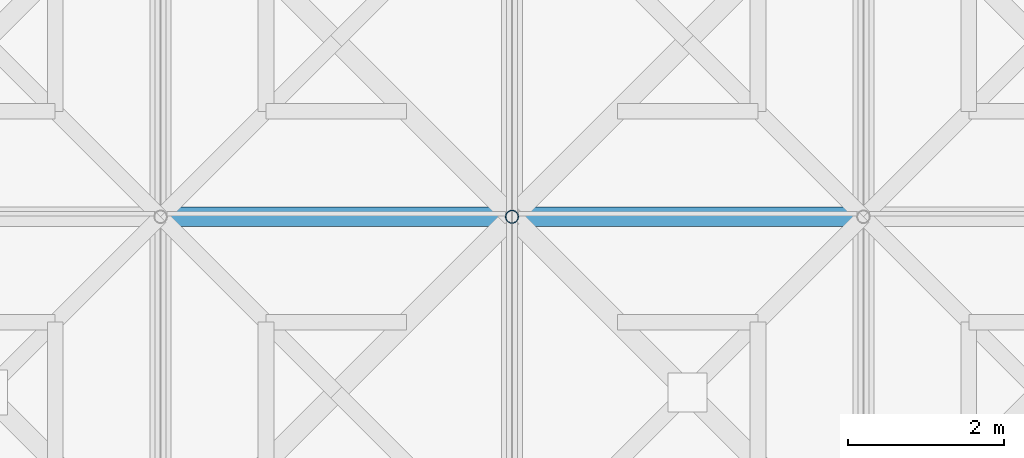
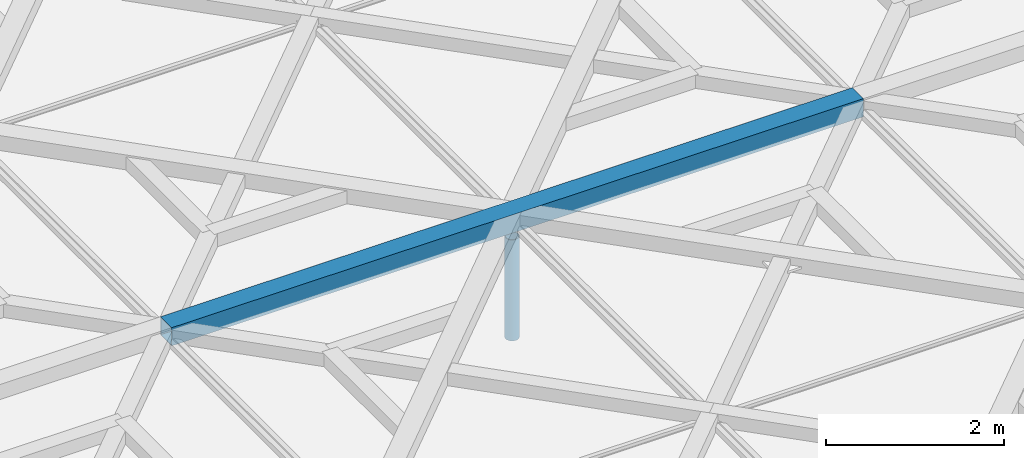
# One storey, part 40 of 80: 2 members.
"""IFC4 building model written with IfcOpenShell, lengths in metres."""

from ifc_helpers import new_model, si_unit, direction, frame, origin, origin_2d, place, context, subcontext, project, spatial, hollow_rectangle, hollow_circle, extrude, material, material_profile, profile_set, type_object, element, save


model = new_model("IFC4")

# Units and contexts
model_context = context("Model", 3, precision=1e-05, world=origin(), true_north=direction((0.0, 1.0)))
body_context = subcontext(model_context, "Body", "Model", "MODEL_VIEW")
ifc_project = project(units=[si_unit("LENGTHUNIT", "METRE"), si_unit("AREAUNIT", "SQUARE_METRE"), si_unit("VOLUMEUNIT", "CUBIC_METRE"), si_unit("PLANEANGLEUNIT", "RADIAN"), si_unit("MASSUNIT", "GRAM", prefix="KILO"), si_unit("THERMODYNAMICTEMPERATUREUNIT", "KELVIN"), si_unit("POWERUNIT", "WATT")], contexts=[model_context])

# Site, building, storey
site_placement = place(None, origin())
site = spatial("IfcSite", under=ifc_project, at=site_placement, CompositionType="ELEMENT")
building_placement = place(site_placement, origin())
building = spatial("IfcBuilding", under=site, at=building_placement, Name="Tallowbark Science Centre", CompositionType="ELEMENT")
storey_placement = place(building_placement, frame((0.0, 0.0, 25.949951171875)))
storey = spatial("IfcBuildingStorey", under=building, at=storey_placement, Name="ROOF", CompositionType="ELEMENT", Elevation=25.949951171875)

# Members
ifc_material = material(Name="White Architectural Painted Steel Grade C350L0 (350 MPa)", Category="steel")
ifc_material_profile_1 = material_profile(ifc_material, hollow_rectangle(XDim=0.25, YDim=0.25, WallThickness=0.009033203125, at=origin_2d()), Name="250x250x9.0SHS")
ifc_profile_set_1 = profile_set([ifc_material_profile_1], Name="White Architectural Painted Steel Grade C350L0 (350 MPa)")
member_type_1 = type_object("IfcMemberType", Name="SCR-CHD200", PredefinedType="CHORD", material=ifc_profile_set_1)
member_1_placement = place(storey_placement, frame((85.5, 22.5, 0.449951171875), z_axis=(1.0, 0.0, 0.0), x_axis=(0.0, 1.0, 0.0)))
element("IfcMember", 1, at=member_1_placement, inside=storey, type_object=member_type_1, Name="Star Screen Frame Chord TOP-67", PredefinedType="CHORD", context=body_context, shape_type="SweptSolid", body=[
    extrude(hollow_rectangle(XDim=0.25, YDim=0.25, WallThickness=0.009033203125, at=origin_2d()), origin(), (0.0, 0.0, 1.0), 9.0),
])
ifc_material_profile_2 = material_profile(ifc_material, hollow_circle(Radius=0.084228515625, WallThickness=0.007080078125, at=origin_2d()), Name="168.3x7.1CHS")
ifc_profile_set_2 = profile_set([ifc_material_profile_2], Name="White Architectural Painted Steel Grade C350L0 (350 MPa)")
member_type_2 = type_object("IfcMemberType", Name="TR-WEB168", PredefinedType="BRACE", material=ifc_profile_set_2)
member_2_placement = place(storey_placement, frame((90.0, 22.5, -1.199951171875), z_axis=(0.0, 0.0, 1.0), x_axis=(1.0, 0.0, 0.0)))
element("IfcMember", 2, at=member_2_placement, inside=storey, type_object=member_type_2, Name="Exhibition Roof Truss Web 8-22.5", PredefinedType="BRACE", context=body_context, shape_type="SweptSolid", body=[
    extrude(hollow_circle(Radius=0.084228515625, WallThickness=0.007080078125, at=origin_2d()), origin(), (0.0, 0.0, 1.0), 1.389892578125),
])

save(model, "model.ifc")
